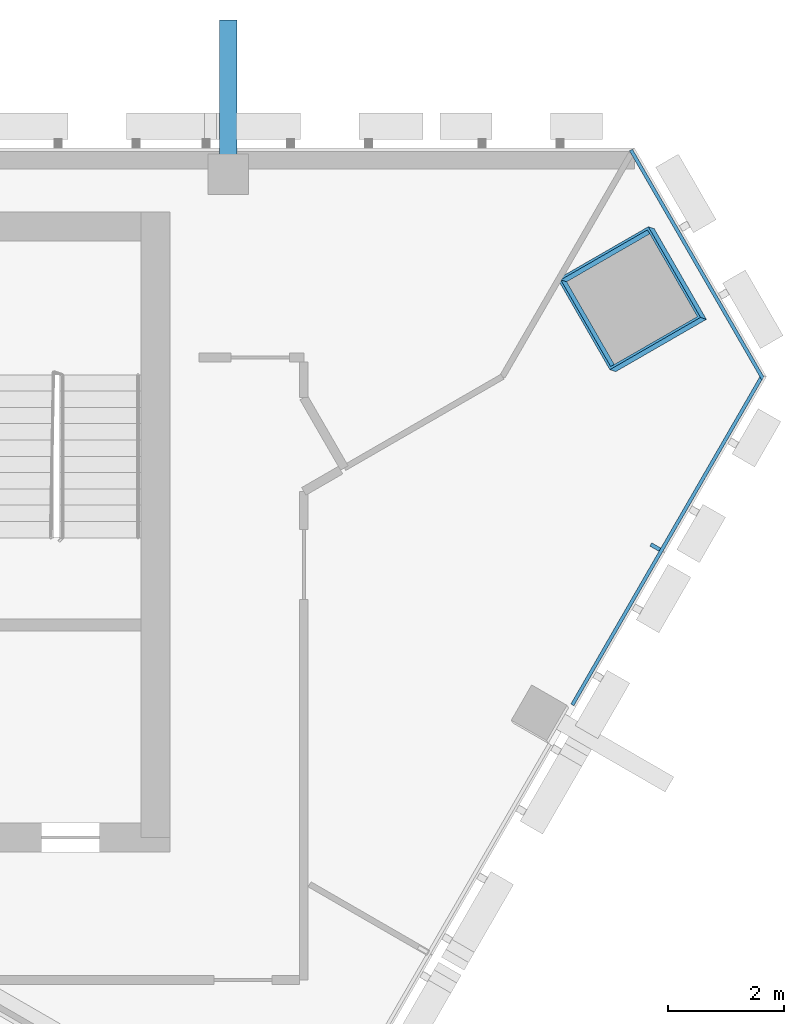
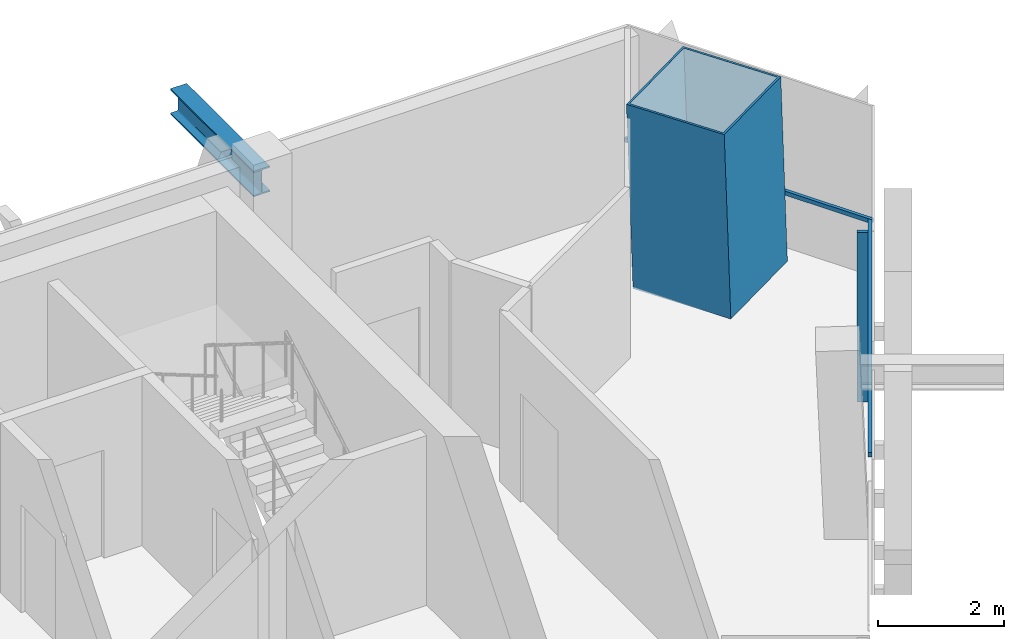
# One storey, part 6 of 12: 5 members, 2 elements without a shape of their own.
"""IFC4 building model written with IfcOpenShell, lengths in metres."""

from ifc_helpers import new_model, si_unit, direction, frame, origin, origin_2d, place, context, subcontext, project, spatial, rectangle, hollow_rectangle, i_section, extrude, material, layer, layer_set, material_profile, profile_set, type_object, element, aggregate, save


model = new_model("IFC4")

# Units and contexts
model_context = context("Model", 3, precision=1e-05, world=origin(), true_north=direction((0.0, 1.0)))
body_context = subcontext(model_context, "Body", "Model", "MODEL_VIEW")
ifc_project = project(units=[si_unit("LENGTHUNIT", "METRE"), si_unit("AREAUNIT", "SQUARE_METRE"), si_unit("VOLUMEUNIT", "CUBIC_METRE"), si_unit("PLANEANGLEUNIT", "RADIAN"), si_unit("MASSUNIT", "GRAM", prefix="KILO")], contexts=[model_context])

# Site, building, storey
site_placement = place(None, origin())
site = spatial("IfcSite", under=ifc_project, at=site_placement, CompositionType="ELEMENT")
building_placement = place(site_placement, origin())
building = spatial("IfcBuilding", under=site, at=building_placement, Name="Altiplano Prism Tower", CompositionType="ELEMENT")
storey_placement = place(building_placement, frame((0.0, 0.0, 282.39990234375)))
storey = spatial("IfcBuildingStorey", under=building, at=storey_placement, Name="L73", CompositionType="ELEMENT", Elevation=282.39990234375)

# Member
ifc_material_1 = material(Name="Steel S355", Category="steel")
ifc_material_profile_1 = material_profile(ifc_material_1, i_section(OverallWidth=0.300048828125, OverallDepth=0.5, WebThickness=0.014404296875, FlangeThickness=0.028076171875, FilletRadius=0.027099609375, at=origin_2d()), Name="Brace bracket HEB 500")
ifc_profile_set_1 = profile_set([ifc_material_profile_1], Name="Steel S355")
member_type_1 = type_object("IfcMemberType", Name="Brace bracket HEB 500", PredefinedType="STRUT", material=ifc_profile_set_1)
member_1_placement = place(storey_placement, frame((98.5, 104.550048828125, 2.9501953125), z_axis=(0.0, 1.0, 0.0), x_axis=(-1.0, 0.0, 0.0)))
element("IfcMember", 1, at=member_1_placement, inside=storey, type_object=member_type_1, Name="Brace bracket 0.286", PredefinedType="STRUT", context=body_context, shape_type="SweptSolid", body=[
    extrude(i_section(OverallWidth=0.300048828125, OverallDepth=0.5, WebThickness=0.014404296875, FlangeThickness=0.028076171875, FilletRadius=0.027099609375, at=origin_2d()), origin(), (0.0, 0.0, 1.0), 2.64990234375),
])

# Curtain wall, members
ifc_material_2 = material(Name="Aluminium and glass", Category="aluminium")
ifc_layer = layer(ifc_material_2, 0.280029296875)
ifc_layer_set = layer_set([ifc_layer], Name="Aluminium and glass")
curtain_wall_type = type_object("IfcCurtainWallType", Name="CW1 typical co-living unitised curtain wall", PredefinedType="NOTDEFINED", material=ifc_layer_set)
curtain_wall_1_placement = place(storey_placement, origin())
curtain_wall_1 = element("IfcCurtainWall", 2, at=curtain_wall_1_placement, inside=storey, type_object=curtain_wall_type, Name="CW1 curtain wall south-east face L73", PredefinedType="NOTDEFINED")
ifc_material_3 = material(Name="Aluminium", Category="aluminium")
ifc_material_profile_2 = material_profile(ifc_material_3, rectangle(XDim=0.179931640625, YDim=0.06494140625, at=origin_2d()), Name="CW1 mullion 65 x 180")
ifc_profile_set_2 = profile_set([ifc_material_profile_2], Name="Aluminium")
member_type_2 = type_object("IfcMemberType", Name="CW1 mullion 65 x 180", PredefinedType="MULLION", material=ifc_profile_set_2)
member_2_placement = place(storey_placement, frame((105.84326171875, 98.1396484375, 0.0), z_axis=(0.0, 0.0, 1.0), x_axis=(-0.866025407982, 0.49999999273, 0.0)))
member_2 = element("IfcMember", 3, at=member_2_placement, type_object=member_type_2, Name="CW1 mullion", PredefinedType="MULLION", context=body_context, shape_type="SweptSolid", body=[
    extrude(rectangle(XDim=0.179931640625, YDim=0.06494140625, at=origin_2d()), origin(), (0.0, 0.0, 1.0), 3.300048828125),
])
ifc_material_profile_3 = material_profile(ifc_material_3, rectangle(XDim=0.06005859375, YDim=0.080078125, at=origin_2d()), Name="CW1 transom 80 x 60")
ifc_profile_set_3 = profile_set([ifc_material_profile_3], Name="Aluminium")
member_type_3 = type_object("IfcMemberType", Name="CW1 transom 80 x 60", PredefinedType="USERDEFINED", material=ifc_profile_set_3)
member_3_placement = place(storey_placement, frame((104.416015625, 95.427978515625, 1.10009765625), z_axis=(0.50002125928, 0.866013129385, 0.0), x_axis=(-0.866013129385, 0.50002125928, 0.0)))
member_3 = element("IfcMember", 4, at=member_3_placement, type_object=member_type_3, Name="CW1 transom", ObjectType="TRANSOM", PredefinedType="USERDEFINED", context=body_context, shape_type="SweptSolid", body=[
    extrude(rectangle(XDim=0.06005859375, YDim=0.080078125, at=origin_2d()), origin(), (0.0, 0.0, 1.0), 6.553955078125),
])
aggregate(curtain_wall_1, [member_2, member_3])

# Curtain wall, member
curtain_wall_2_placement = place(storey_placement, origin())
curtain_wall_2 = element("IfcCurtainWall", 5, at=curtain_wall_2_placement, inside=storey, type_object=curtain_wall_type, Name="CW1 curtain wall north-east chamfer L73", PredefinedType="NOTDEFINED")
member_4_placement = place(storey_placement, frame((107.693115234375, 101.03369140625, 1.10009765625), z_axis=(-0.499997120667, 0.866027066162, 0.0), x_axis=(-0.866027066162, -0.499997120667, 0.0)))
member_4 = element("IfcMember", 6, at=member_4_placement, type_object=member_type_3, Name="CW1 transom", ObjectType="TRANSOM", PredefinedType="USERDEFINED", context=body_context, shape_type="SweptSolid", body=[
    extrude(rectangle(XDim=0.06005859375, YDim=0.080078125, at=origin_2d()), origin(), (0.0, 0.0, 1.0), 4.53955078125),
])
aggregate(curtain_wall_2, [member_4])

# Member
ifc_material_4 = material(Name="Steel S460", Category="steel")
ifc_material_profile_4 = material_profile(ifc_material_4, hollow_rectangle(XDim=1.800048828125, YDim=1.800048828125, WallThickness=0.0400390625, at=origin_2d()), Name="Mega column tube 1800")
ifc_profile_set_4 = profile_set([ifc_material_profile_4], Name="Steel S460")
member_type_4 = type_object("IfcMemberType", Name="Mega column tube 1800", PredefinedType="POST", material=ifc_profile_set_4)
member_5_placement = place(storey_placement, frame((105.4931640625, 102.38427734375, 0.0), z_axis=(-0.028401796786, 0.009286506348, 0.999553449666), x_axis=(0.498891539086, -0.866379410279, 0.022224978576)))
element("IfcMember", 7, at=member_5_placement, inside=storey, type_object=member_type_4, Name="Mega column tube M2 L73", PredefinedType="POST", context=body_context, shape_type="SweptSolid", body=[
    extrude(hollow_rectangle(XDim=1.800048828125, YDim=1.800048828125, WallThickness=0.0400390625, at=origin_2d()), origin(), (0.0, 0.0, 1.0), 3.601806640625),
])

save(model, "model.ifc")
